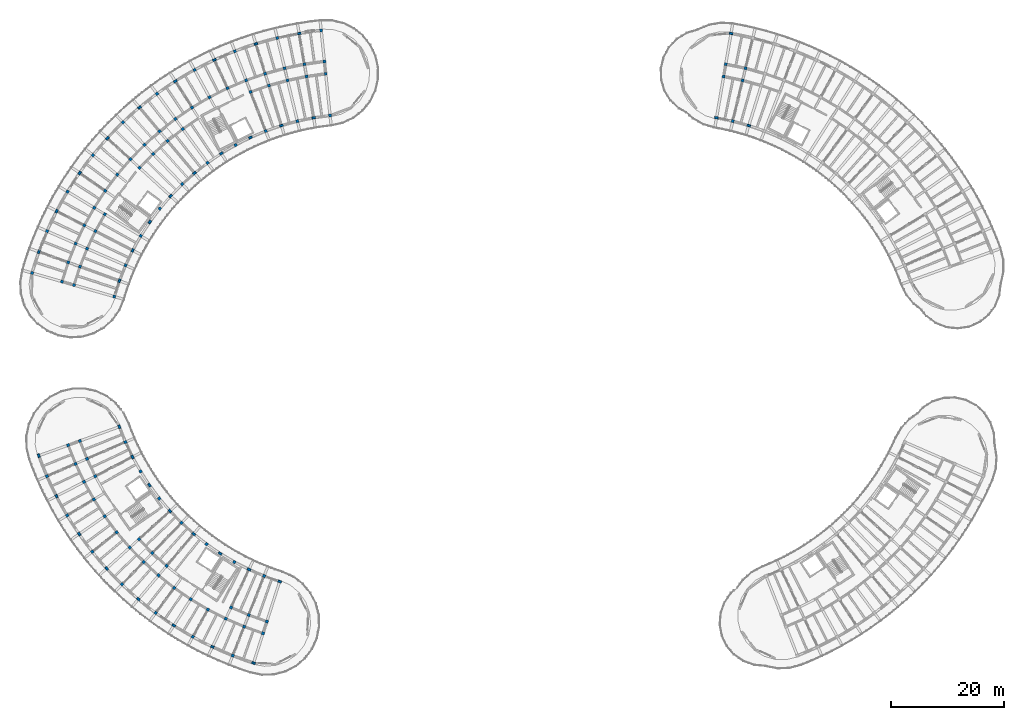
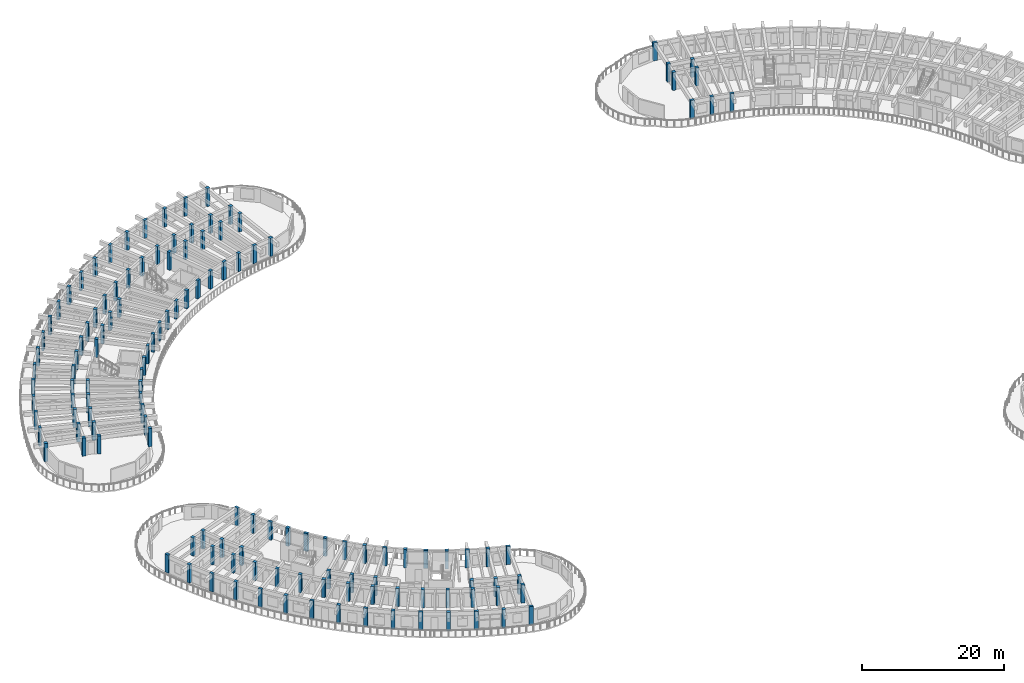
# One storey, part 1 of 83: 133 columns.
"""IFC4 building model written with IfcOpenShell, lengths in metres."""

from ifc_helpers import new_model, si_unit, direction, frame, origin, origin_2d, place, context, subcontext, project, spatial, rectangle, extrude, material, material_profile, profile_set, type_object, element, save


model = new_model("IFC4")

# Units and contexts
model_context = context("Model", 3, precision=1e-05, world=origin(), true_north=direction((0.0, 1.0)))
body_context = subcontext(model_context, "Body", "Model", "MODEL_VIEW")
ifc_project = project(units=[si_unit("LENGTHUNIT", "METRE"), si_unit("AREAUNIT", "SQUARE_METRE"), si_unit("VOLUMEUNIT", "CUBIC_METRE"), si_unit("PLANEANGLEUNIT", "RADIAN"), si_unit("MASSUNIT", "GRAM", prefix="KILO")], contexts=[model_context])

# Site, building, storey
site_placement = place(None, origin())
site = spatial("IfcSite", under=ifc_project, at=site_placement, CompositionType="ELEMENT")
building_placement = place(site_placement, origin())
building = spatial("IfcBuilding", under=site, at=building_placement, Name="Tanwirah Colonnade Gardens", CompositionType="ELEMENT")
storey_placement = place(building_placement, frame((0.0, 0.0, 25.639892578125)))
storey = spatial("IfcBuildingStorey", under=building, at=storey_placement, Name="L07", CompositionType="ELEMENT", Elevation=25.639892578125)

# Columns
ifc_material = material(Name="Precast concrete C40/50", Category="concrete")
ifc_material_profile_1 = material_profile(ifc_material, rectangle(XDim=0.510009765625, YDim=0.510009765625, at=origin_2d()), Name="PC-COL 510x510")
ifc_profile_set_1 = profile_set([ifc_material_profile_1], Name="Precast concrete C40/50")
column_type_1 = type_object("IfcColumnType", Name="C-PC420", PredefinedType="COLUMN", material=ifc_profile_set_1)
for number, where, z_axis, x_axis, name in (
    (1, (16.199951171875, 46.97900390625, 0.0), (0.0, 0.0, 1.0), (-0.941176015256, -0.337916718003, 0.0), "Block C L07 Column 1-R1"),
    (2, (14.12939453125, 46.235595703125, 0.0), (0.0, 0.0, 1.0), (-0.941176015256, -0.337916718003, 0.0), "Block C L07 Column 1-R2"),
    (3, (24.236572265625, 46.775634765625, 0.0), (0.0, 0.0, 1.0), (-0.917060074385, -0.398749068925, 0.0), "Block C L07 Column 2-R0"),
    (4, (17.450439453125, 43.824951171875, 0.0), (0.0, 0.0, 1.0), (-0.917060074385, -0.398749068925, 0.0), "Block C L07 Column 2-R1"),
    (5, (15.432861328125, 42.947509765625, 0.0), (0.0, 0.0, 1.0), (-0.917060074385, -0.398749068925, 0.0), "Block C L07 Column 2-R2"),
    (6, (10.38916015625, 40.75439453125, 0.0), (0.0, 0.0, 1.0), (-0.917060074385, -0.398749068925, 0.0), "Block C L07 Column 2-R3"),
    (7, (18.904541015625, 40.75927734375, 0.0), (0.0, 0.0, 1.0), (-0.889017141486, -0.457873915117, 0.0), "Block C L07 Column 3-R1"),
    (8, (16.94873046875, 39.751953125, 0.0), (0.0, 0.0, 1.0), (-0.889017141486, -0.457873915117, 0.0), "Block C L07 Column 3-R2"),
    (9, (26.89892578125, 41.6064453125, 0.0), (0.0, 0.0, 1.0), (-0.857167300702, -0.51503807491, 0.0), "Block C L07 Column 4-R0"),
    (10, (18.670166015625, 36.662109375, 0.0), (0.0, 0.0, 1.0), (-0.857167300702, -0.51503807491, 0.0), "Block C L07 Column 4-R2"),
    (11, (13.95556640625, 33.82958984375, 0.0), (0.0, 0.0, 1.0), (-0.857167300702, -0.51503807491, 0.0), "Block C L07 Column 4-R3"),
    (12, (20.590087890625, 33.691650390625, 0.0), (0.0, 0.0, 1.0), (-0.821646937942, -0.569996762596, 0.0), "Block C L07 Column 5-R2"),
    (13, (30.213134765625, 36.829345703125, 0.0), (0.0, 0.0, 1.0), (-0.782608156852, -0.622514636638, 0.0), "Block C L07 Column 6-R0"),
    (14, (22.699951171875, 30.85302734375, 0.0), (0.0, 0.0, 1.0), (-0.782608156852, -0.622514636638, 0.0), "Block C L07 Column 6-R2"),
    (15, (18.395751953125, 27.42919921875, 0.0), (0.0, 0.0, 1.0), (-0.782608156852, -0.622514636638, 0.0), "Block C L07 Column 6-R3"),
    (16, (26.61962890625, 29.6376953125, 0.0), (0.0, 0.0, 1.0), (-0.740218127487, -0.672366807435, 0.0), "Block C L07 Column 7-R1"),
    (17, (24.9912109375, 28.15869140625, 0.0), (0.0, 0.0, 1.0), (-0.740218127487, -0.672366807435, 0.0), "Block C L07 Column 7-R2"),
    (18, (34.122314453125, 32.525390625, 0.0), (0.0, 0.0, 1.0), (-0.694658370459, -0.719339800339, 0.0), "Block C L07 Column 8-R0"),
    (19, (28.98193359375, 27.2021484375, 0.0), (0.0, 0.0, 1.0), (-0.694658370459, -0.719339800339, 0.0), "Block C L07 Column 8-R1"),
    (20, (27.45361328125, 25.61962890625, 0.0), (0.0, 0.0, 1.0), (-0.694658370459, -0.719339800339, 0.0), "Block C L07 Column 8-R2"),
    (21, (23.633056640625, 21.663330078125, 0.0), (0.0, 0.0, 1.0), (-0.694658370459, -0.719339800339, 0.0), "Block C L07 Column 8-R3"),
    (22, (31.49853515625, 24.926513671875, 0.0), (0.0, 0.0, 1.0), (-0.646123979643, -0.763232469783, 0.0), "Block C L07 Column 9-R1"),
    (23, (30.076904296875, 23.247314453125, 0.0), (0.0, 0.0, 1.0), (-0.646123979643, -0.763232469783, 0.0), "Block C L07 Column 9-R2"),
    (24, (38.56005859375, 28.7685546875, 0.0), (0.0, 0.0, 1.0), (-0.594822786751, -0.803856860617, 0.0), "Block C L07 Column 10-R0"),
    (25, (32.849853515625, 21.051513671875, 0.0), (0.0, 0.0, 1.0), (-0.594822786751, -0.803856860617, 0.0), "Block C L07 Column 10-R2"),
    (26, (29.578369140625, 16.63037109375, 0.0), (0.0, 0.0, 1.0), (-0.594822786751, -0.803856860617, 0.0), "Block C L07 Column 10-R3"),
    (27, (35.76025390625, 19.041748046875, 0.0), (0.0, 0.0, 1.0), (-0.540974471368, -0.841039012964, 0.0), "Block C L07 Column 11-R2"),
    (28, (43.4501953125, 25.623046875, 0.0), (0.0, 0.0, 1.0), (-0.484809620246, -0.874619707139, 0.0), "Block C L07 Column 12-R0"),
    (29, (38.796142578125, 17.226806640625, 0.0), (0.0, 0.0, 1.0), (-0.484809620246, -0.874619707139, 0.0), "Block C L07 Column 12-R2"),
    (30, (36.129638671875, 12.41650390625, 0.0), (0.0, 0.0, 1.0), (-0.484809620246, -0.874619707139, 0.0), "Block C L07 Column 12-R3"),
    (31, (42.88232421875, 17.60400390625, 0.0), (0.0, 0.0, 1.0), (-0.426568739901, -0.904455145454, 0.0), "Block C L07 Column 13-R1"),
    (32, (41.94384765625, 15.6142578125, 0.0), (0.0, 0.0, 1.0), (-0.426568739901, -0.904455145454, 0.0), "Block C L07 Column 13-R2"),
    (33, (48.708984375, 23.142822265625, 0.0), (0.0, 0.0, 1.0), (-0.366501226724, -0.930417567982, 0.0), "Block C L07 Column 14-R0"),
    (34, (45.996826171875, 16.2578125, 0.0), (0.0, 0.0, 1.0), (-0.366501226724, -0.930417567982, 0.0), "Block C L07 Column 14-R1"),
    (35, (45.190673828125, 14.2109375, 0.0), (0.0, 0.0, 1.0), (-0.366501226724, -0.930417567982, 0.0), "Block C L07 Column 14-R2"),
    (36, (43.1748046875, 9.09375, 0.0), (0.0, 0.0, 1.0), (-0.366501226724, -0.930417567982, 0.0), "Block C L07 Column 14-R3"),
    (37, (49.19287109375, 15.1181640625, 0.0), (0.0, 0.0, 1.0), (-0.304864299028, -0.952395799643, 0.0), "Block C L07 Column 15-R1"),
    (38, (48.52197265625, 13.02294921875, 0.0), (0.0, 0.0, 1.0), (-0.304864299028, -0.952395799643, 0.0), "Block C L07 Column 15-R2"),
):
    element("IfcColumn", number, at=place(storey_placement, frame(where, z_axis=z_axis, x_axis=x_axis)), inside=storey, type_object=column_type_1, Name=name, PredefinedType="COLUMN", context=body_context, shape_type="SweptSolid", body=[
        extrude(rectangle(XDim=0.510009765625, YDim=0.510009765625, at=origin_2d()), origin(), (0.0, 0.0, 1.0), 3.110107421875),
    ])
ifc_material_profile_2 = material_profile(ifc_material, rectangle(XDim=0.5, YDim=0.5, at=origin_2d()), Name="PC-COL 500x500")
ifc_profile_set_2 = profile_set([ifc_material_profile_2], Name="Precast concrete C40/50")
column_type_2 = type_object("IfcColumnType", Name="C-PC500", PredefinedType="COLUMN", material=ifc_profile_set_2)
for number, where, z_axis, x_axis, name in (
    (39, (60.353759765625, 104.406494140625, 0.0), (0.0, 0.0, 1.0), (-0.104528463268, 0.994521895368, 0.0), "Block A L07 Column 0-R0"),
    (40, (59.580078125, 111.765869140625, 0.0), (0.0, 0.0, 1.0), (-0.104528463268, 0.994521895368, 0.0), "Block A L07 Column 0-R1"),
    (41, (59.350341796875, 113.953857421875, 0.0), (0.0, 0.0, 1.0), (-0.104528463268, 0.994521895368, 0.0), "Block A L07 Column 0-R2"),
    (42, (58.775390625, 119.423828125, 0.0), (0.0, 0.0, 1.0), (-0.104528463268, 0.994521895368, 0.0), "Block A L07 Column 0-R3"),
    (43, (56.1943359375, 111.296875, 0.0), (0.0, 0.0, 1.0), (-0.169827298811, 0.985473839622, 0.0), "Block A L07 Column 1-R1"),
    (44, (55.82080078125, 113.46484375, 0.0), (0.0, 0.0, 1.0), (-0.169827298811, 0.985473839622, 0.0), "Block A L07 Column 1-R2"),
    (45, (54.58154296875, 103.411865234375, 0.0), (0.0, 0.0, 1.0), (-0.23438809799, 0.972143106503, 0.0), "Block A L07 Column 2-R0"),
    (46, (52.846923828125, 110.605712890625, 0.0), (0.0, 0.0, 1.0), (-0.23438809799, 0.972143106503, 0.0), "Block A L07 Column 2-R1"),
    (47, (52.331298828125, 112.744384765625, 0.0), (0.0, 0.0, 1.0), (-0.23438809799, 0.972143106503, 0.0), "Block A L07 Column 2-R2"),
    (48, (51.042236328125, 118.091064453125, 0.0), (0.0, 0.0, 1.0), (-0.23438809799, 0.972143106503, 0.0), "Block A L07 Column 2-R3"),
    (49, (49.55224609375, 109.6953125, 0.0), (0.0, 0.0, 1.0), (-0.297930292146, 0.954587628781, 0.0), "Block A L07 Column 3-R1"),
    (50, (48.89697265625, 111.79541015625, 0.0), (0.0, 0.0, 1.0), (-0.297930292146, 0.954587628781, 0.0), "Block A L07 Column 3-R2"),
    (51, (48.989990234375, 101.666748046875, 0.0), (0.0, 0.0, 1.0), (-0.360177739278, 0.932883699144, 0.0), "Block A L07 Column 4-R0"),
    (52, (46.32470703125, 108.570068359375, 0.0), (0.0, 0.0, 1.0), (-0.360177739278, 0.932883699144, 0.0), "Block A L07 Column 4-R1"),
    (53, (45.532470703125, 110.622314453125, 0.0), (0.0, 0.0, 1.0), (-0.360177739278, 0.932883699144, 0.0), "Block A L07 Column 4-R2"),
    (54, (43.551513671875, 115.753173828125, 0.0), (0.0, 0.0, 1.0), (-0.360177739278, 0.932883699144, 0.0), "Block A L07 Column 4-R3"),
    (55, (42.25244140625, 109.230224609375, 0.0), (0.0, 0.0, 1.0), (-0.420859924104, 0.907125638643, 0.0), "Block A L07 Column 5-R2"),
    (56, (43.6767578125, 99.20166015625, 0.0), (0.0, 0.0, 1.0), (-0.479713133669, 0.877425386791, 0.0), "Block A L07 Column 6-R0"),
    (57, (39.071533203125, 107.624755859375, 0.0), (0.0, 0.0, 1.0), (-0.479713133669, 0.877425386791, 0.0), "Block A L07 Column 6-R2"),
    (58, (36.43310546875, 112.45068359375, 0.0), (0.0, 0.0, 1.0), (-0.479713133669, 0.877425386791, 0.0), "Block A L07 Column 6-R3"),
    (59, (36.003173828125, 105.8134765625, 0.0), (0.0, 0.0, 1.0), (-0.536481603385, 0.843912015099, 0.0), "Block A L07 Column 7-R2"),
    (60, (38.733642578125, 96.05908203125, 0.0), (0.0, 0.0, 1.0), (-0.590918628541, 0.806731166153, 0.0), "Block A L07 Column 8-R0"),
    (61, (34.36083984375, 102.029052734375, 0.0), (0.0, 0.0, 1.0), (-0.590918628541, 0.806731166153, 0.0), "Block A L07 Column 8-R1"),
    (62, (33.060791015625, 103.8037109375, 0.0), (0.0, 0.0, 1.0), (-0.590918628541, 0.806731166153, 0.0), "Block A L07 Column 8-R2"),
    (63, (29.810791015625, 108.24072265625, 0.0), (0.0, 0.0, 1.0), (-0.590918628541, 0.806731166153, 0.0), "Block A L07 Column 8-R3"),
    (64, (31.67138671875, 99.91943359375, 0.0), (0.0, 0.0, 1.0), (-0.642787636427, 0.766044420681, 0.0), "Block A L07 Column 9-R1"),
    (65, (30.25732421875, 101.604736328125, 0.0), (0.0, 0.0, 1.0), (-0.642787636427, 0.766044420681, 0.0), "Block A L07 Column 9-R2"),
    (66, (34.24658203125, 92.294189453125, 0.0), (0.0, 0.0, 1.0), (-0.691863214436, 0.722028595355, 0.0), "Block A L07 Column 10-R0"),
    (67, (29.126953125, 97.63720703125, 0.0), (0.0, 0.0, 1.0), (-0.691863214436, 0.722028595355, 0.0), "Block A L07 Column 10-R1"),
    (68, (27.604736328125, 99.2255859375, 0.0), (0.0, 0.0, 1.0), (-0.691863214436, 0.722028595355, 0.0), "Block A L07 Column 10-R2"),
    (69, (23.799560546875, 103.19677734375, 0.0), (0.0, 0.0, 1.0), (-0.691863214436, 0.722028595355, 0.0), "Block A L07 Column 10-R3"),
    (70, (26.73828125, 95.1923828125, 0.0), (0.0, 0.0, 1.0), (-0.737932089665, 0.674874974378, 0.0), "Block A L07 Column 11-R1"),
    (71, (25.11474609375, 96.677001953125, 0.0), (0.0, 0.0, 1.0), (-0.737932089665, 0.674874974378, 0.0), "Block A L07 Column 11-R2"),
    (72, (30.293701171875, 87.971923828125, 0.0), (0.0, 0.0, 1.0), (-0.780794055756, 0.624788478204, 0.0), "Block A L07 Column 12-R0"),
    (73, (22.798095703125, 93.9697265625, 0.0), (0.0, 0.0, 1.0), (-0.780794055756, 0.624788478204, 0.0), "Block A L07 Column 12-R2"),
    (74, (18.503662109375, 97.40625, 0.0), (0.0, 0.0, 1.0), (-0.780794055756, 0.624788478204, 0.0), "Block A L07 Column 12-R3"),
    (75, (20.664794921875, 91.115966796875, 0.0), (0.0, 0.0, 1.0), (-0.82026284295, 0.57198677299, 0.0), "Block A L07 Column 13-R2"),
    (76, (26.943359375, 83.167236328125, 0.0), (0.0, 0.0, 1.0), (-0.856166927587, 0.516699324663, 0.0), "Block A L07 Column 14-R0"),
    (77, (20.607666015625, 86.990966796875, 0.0), (0.0, 0.0, 1.0), (-0.856166927587, 0.516699324663, 0.0), "Block A L07 Column 14-R1"),
    (78, (18.72412109375, 88.127685546875, 0.0), (0.0, 0.0, 1.0), (-0.856166927587, 0.516699324663, 0.0), "Block A L07 Column 14-R2"),
    (79, (14.015380859375, 90.969482421875, 0.0), (0.0, 0.0, 1.0), (-0.856166927587, 0.516699324663, 0.0), "Block A L07 Column 14-R3"),
    (80, (18.93896484375, 84.0078125, 0.0), (0.0, 0.0, 1.0), (-0.888350277506, 0.459166401705, 0.0), "Block A L07 Column 15-R1"),
    (81, (16.984619140625, 85.017822265625, 0.0), (0.0, 0.0, 1.0), (-0.888350277506, 0.459166401705, 0.0), "Block A L07 Column 15-R2"),
    (82, (24.25390625, 77.9638671875, 0.0), (0.0, 0.0, 1.0), (-0.916673030138, 0.399638030994, 0.0), "Block A L07 Column 16-R0"),
    (83, (17.470458984375, 80.921142578125, 0.0), (0.0, 0.0, 1.0), (-0.916673030138, 0.399638030994, 0.0), "Block A L07 Column 16-R1"),
    (84, (15.453857421875, 81.800537109375, 0.0), (0.0, 0.0, 1.0), (-0.916673030138, 0.399638030994, 0.0), "Block A L07 Column 16-R2"),
    (85, (10.412109375, 83.99853515625, 0.0), (0.0, 0.0, 1.0), (-0.916673030138, 0.399638030994, 0.0), "Block A L07 Column 16-R3"),
    (86, (16.20849609375, 77.74462890625, 0.0), (0.0, 0.0, 1.0), (-0.941012100316, 0.338372911236, 0.0), "Block A L07 Column 17-R1"),
    (87, (14.13818359375, 78.489013671875, 0.0), (0.0, 0.0, 1.0), (-0.941012100316, 0.338372911236, 0.0), "Block A L07 Column 17-R2"),
    (88, (22.27197265625, 72.4521484375, 0.0), (0.0, 0.0, 1.0), (-0.961261715181, 0.275637288708, 0.0), "Block A L07 Column 18-R0"),
    (89, (15.15869140625, 74.49169921875, 0.0), (0.0, 0.0, 1.0), (-0.961261715181, 0.275637288708, 0.0), "Block A L07 Column 18-R1"),
    (90, (13.043701171875, 75.09814453125, 0.0), (0.0, 0.0, 1.0), (-0.961261715181, 0.275637288708, 0.0), "Block A L07 Column 18-R2"),
    (91, (7.7568359375, 76.6142578125, 0.0), (0.0, 0.0, 1.0), (-0.961261715181, 0.275637288708, 0.0), "Block A L07 Column 18-R3"),
    (92, (131.41845703125, 103.411865234375, 0.0), (0.0, 0.0, 1.0), (0.234388030122, 0.972143122866, 0.0), "Block B L07 Column 16-R0"),
    (93, (133.153076171875, 110.605712890625, 0.0), (0.0, 0.0, 1.0), (0.234388030122, 0.972143122866, 0.0), "Block B L07 Column 16-R1"),
    (94, (133.668701171875, 112.744384765625, 0.0), (0.0, 0.0, 1.0), (0.234388030122, 0.972143122866, 0.0), "Block B L07 Column 16-R2"),
    (95, (129.8056640625, 111.296875, 0.0), (0.0, 0.0, 1.0), (0.169827230012, 0.985473851478, 0.0), "Block B L07 Column 17-R1"),
    (96, (130.17919921875, 113.46484375, 0.0), (0.0, 0.0, 1.0), (0.169827230012, 0.985473851478, 0.0), "Block B L07 Column 17-R2"),
):
    element("IfcColumn", number, at=place(storey_placement, frame(where, z_axis=z_axis, x_axis=x_axis)), inside=storey, type_object=column_type_2, Name=name, PredefinedType="COLUMN", context=body_context, shape_type="SweptSolid", body=[
        extrude(rectangle(XDim=0.5, YDim=0.5, at=origin_2d()), origin(), (0.0, 0.0, 1.0), 3.110107421875),
    ])
ifc_material_profile_3 = material_profile(ifc_material, rectangle(XDim=0.3798828125, YDim=0.6201171875, at=origin_2d()), Name="PC-PIL 380x620")
ifc_profile_set_3 = profile_set([ifc_material_profile_3], Name="Precast concrete C40/50")
column_type_3 = type_object("IfcColumnType", Name="PIL-380", PredefinedType="PILASTER", material=ifc_profile_set_3)
for number, where, z_axis, x_axis, name in (
    (97, (57.451171875, 104.00439453125, 0.0), (0.0, 0.0, 1.0), (-0.169827298811, 0.985473839622, 0.0), "Block A L07 Column 1-R0"),
    (98, (54.88671875, 118.885009765625, 0.0), (0.0, 0.0, 1.0), (-0.169827298811, 0.985473839622, 0.0), "Block A L07 Column 1-R3"),
    (99, (51.757080078125, 102.63134765625, 0.0), (0.0, 0.0, 1.0), (-0.297930292146, 0.954587628781, 0.0), "Block A L07 Column 3-R0"),
    (100, (47.25830078125, 117.045654296875, 0.0), (0.0, 0.0, 1.0), (-0.297930292146, 0.954587628781, 0.0), "Block A L07 Column 3-R3"),
    (101, (46.292724609375, 100.521728515625, 0.0), (0.0, 0.0, 1.0), (-0.420859924104, 0.907125638643, 0.0), "Block A L07 Column 5-R0"),
    (102, (39.937744140625, 114.21923828125, 0.0), (0.0, 0.0, 1.0), (-0.420859924104, 0.907125638643, 0.0), "Block A L07 Column 5-R3"),
    (103, (41.1533203125, 97.7119140625, 0.0), (0.0, 0.0, 1.0), (-0.536481603385, 0.843912015099, 0.0), "Block A L07 Column 7-R0"),
    (104, (33.052490234375, 110.455078125, 0.0), (0.0, 0.0, 1.0), (-0.536481603385, 0.843912015099, 0.0), "Block A L07 Column 7-R3"),
    (105, (36.427978515625, 94.250732421875, 0.0), (0.0, 0.0, 1.0), (-0.642787636427, 0.766044420681, 0.0), "Block A L07 Column 9-R0"),
    (106, (26.721923828125, 105.81787109375, 0.0), (0.0, 0.0, 1.0), (-0.642787636427, 0.766044420681, 0.0), "Block A L07 Column 9-R3"),
    (107, (32.198974609375, 90.1982421875, 0.0), (0.0, 0.0, 1.0), (-0.737932089665, 0.674874974378, 0.0), "Block A L07 Column 11-R0"),
    (108, (21.05615234375, 100.388916015625, 0.0), (0.0, 0.0, 1.0), (-0.737932089665, 0.674874974378, 0.0), "Block A L07 Column 11-R3"),
    (109, (28.539306640625, 85.624755859375, 0.0), (0.0, 0.0, 1.0), (-0.82026284295, 0.57198677299, 0.0), "Block A L07 Column 13-R0"),
    (110, (16.1533203125, 94.26171875, 0.0), (0.0, 0.0, 1.0), (-0.82026284295, 0.57198677299, 0.0), "Block A L07 Column 13-R3"),
    (111, (25.512939453125, 80.60986328125, 0.0), (0.0, 0.0, 1.0), (-0.888350277506, 0.459166401705, 0.0), "Block A L07 Column 15-R0"),
    (112, (12.0986328125, 87.54345703125, 0.0), (0.0, 0.0, 1.0), (-0.888350277506, 0.459166401705, 0.0), "Block A L07 Column 15-R3"),
    (113, (23.172119140625, 75.24072265625, 0.0), (0.0, 0.0, 1.0), (-0.941012100316, 0.338372911236, 0.0), "Block A L07 Column 17-R0"),
    (114, (8.962646484375, 80.35009765625, 0.0), (0.0, 0.0, 1.0), (-0.941012100316, 0.338372911236, 0.0), "Block A L07 Column 17-R3"),
    (115, (134.242919921875, 102.63134765625, 0.0), (0.0, 0.0, 1.0), (0.297930225503, 0.954587649581, 0.0), "Block B L07 Column 15-R0"),
    (116, (128.548828125, 104.00439453125, 0.0), (0.0, 0.0, 1.0), (0.169827230012, 0.985473851478, 0.0), "Block B L07 Column 17-R0"),
    (117, (131.11328125, 118.885009765625, 0.0), (0.0, 0.0, 1.0), (0.169827230012, 0.985473851478, 0.0), "Block B L07 Column 17-R3"),
    (118, (23.164794921875, 49.4794921875, 0.0), (0.0, 0.0, 1.0), (-0.941176015256, -0.337916718003, 0.0), "Block C L07 Column 1-R0"),
    (119, (8.952880859375, 44.376953125, 0.0), (0.0, 0.0, 1.0), (-0.941176015256, -0.337916718003, 0.0), "Block C L07 Column 1-R3"),
    (120, (25.483154296875, 44.1474609375, 0.0), (0.0, 0.0, 1.0), (-0.889017141486, -0.457873915117, 0.0), "Block C L07 Column 3-R0"),
    (121, (12.05908203125, 37.233642578125, 0.0), (0.0, 0.0, 1.0), (-0.889017141486, -0.457873915117, 0.0), "Block C L07 Column 3-R3"),
    (122, (28.477783203125, 39.16357421875, 0.0), (0.0, 0.0, 1.0), (-0.821646937942, -0.569996762596, 0.0), "Block C L07 Column 5-R0"),
    (123, (16.071044921875, 30.556640625, 0.0), (0.0, 0.0, 1.0), (-0.821646937942, -0.569996762596, 0.0), "Block C L07 Column 5-R3"),
    (124, (32.097412109375, 34.61328125, 0.0), (0.0, 0.0, 1.0), (-0.740218127487, -0.672366807435, 0.0), "Block C L07 Column 7-R0"),
    (125, (20.919921875, 24.46044921875, 0.0), (0.0, 0.0, 1.0), (-0.740218127487, -0.672366807435, 0.0), "Block C L07 Column 7-R3"),
    (126, (36.27978515625, 30.57421875, 0.0), (0.0, 0.0, 1.0), (-0.646123979643, -0.763232469783, 0.0), "Block C L07 Column 9-R0"),
    (127, (26.5234375, 19.049560546875, 0.0), (0.0, 0.0, 1.0), (-0.646123979643, -0.763232469783, 0.0), "Block C L07 Column 9-R3"),
    (128, (40.95361328125, 27.11572265625, 0.0), (0.0, 0.0, 1.0), (-0.540974471368, -0.841039012964, 0.0), "Block C L07 Column 11-R0"),
    (129, (32.784912109375, 14.416015625, 0.0), (0.0, 0.0, 1.0), (-0.540974471368, -0.841039012964, 0.0), "Block C L07 Column 11-R3"),
    (130, (46.0390625, 24.296875, 0.0), (0.0, 0.0, 1.0), (-0.426568739901, -0.904455145454, 0.0), "Block C L07 Column 13-R0"),
    (131, (39.597900390625, 10.6396484375, 0.0), (0.0, 0.0, 1.0), (-0.426568739901, -0.904455145454, 0.0), "Block C L07 Column 13-R3"),
    (132, (51.44873046875, 22.166015625, 0.0), (0.0, 0.0, 1.0), (-0.304864299028, -0.952395799643, 0.0), "Block C L07 Column 15-R0"),
    (133, (46.84521484375, 7.784912109375, 0.0), (0.0, 0.0, 1.0), (-0.304864299028, -0.952395799643, 0.0), "Block C L07 Column 15-R3"),
):
    element("IfcColumn", number, at=place(storey_placement, frame(where, z_axis=z_axis, x_axis=x_axis)), inside=storey, type_object=column_type_3, Name=name, PredefinedType="PILASTER", context=body_context, shape_type="SweptSolid", body=[
        extrude(rectangle(XDim=0.3798828125, YDim=0.6201171875, at=origin_2d()), origin(), (0.0, 0.0, 1.0), 3.110107421875),
    ])

save(model, "model.ifc")
